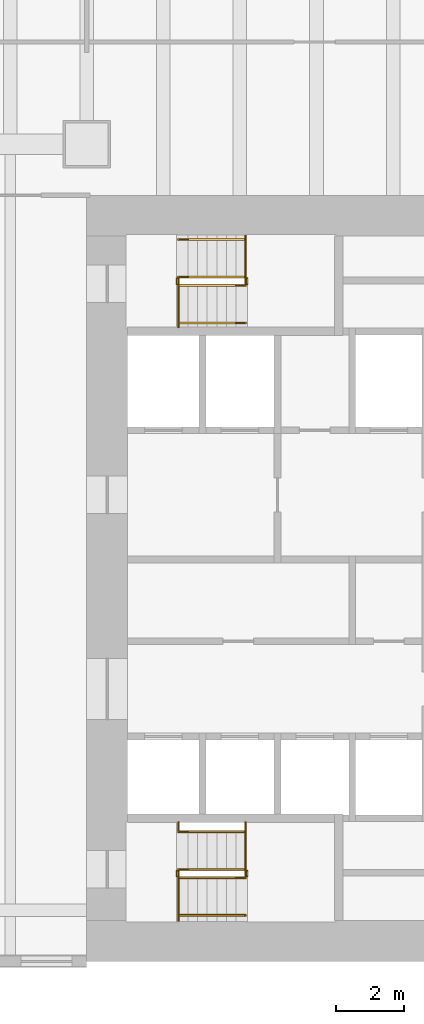
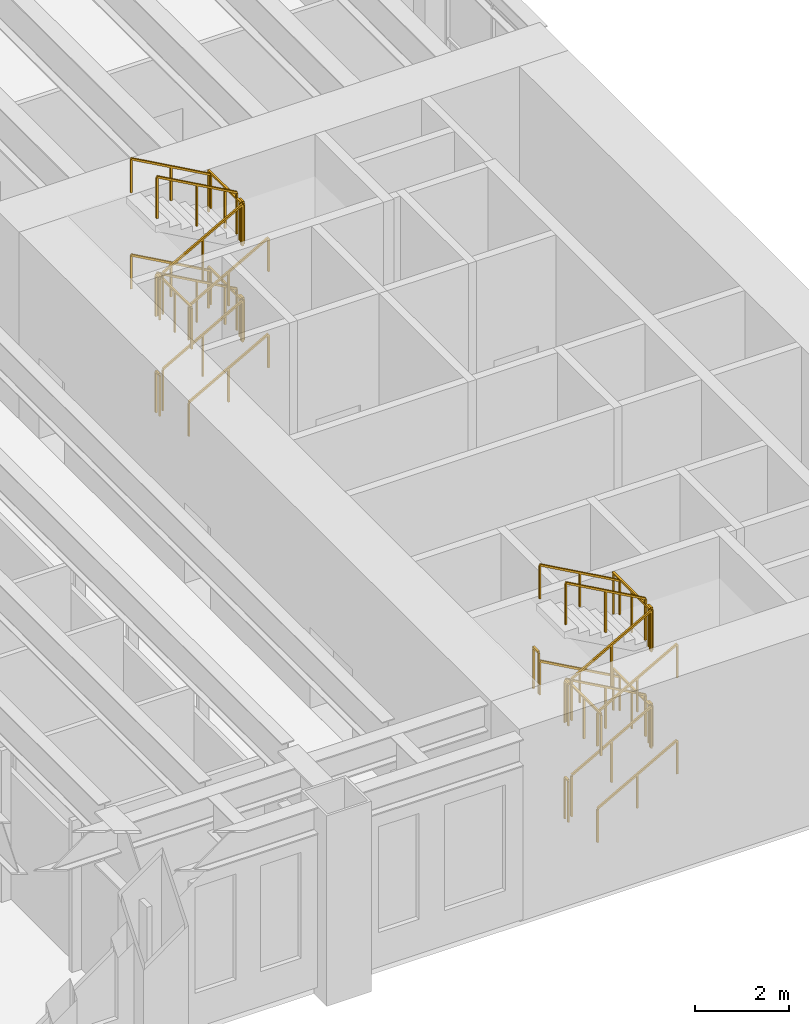
# One storey, part 20 of 21: 31 railings.
"""IFC4 building model written with IfcOpenShell, lengths in metres."""

from ifc_helpers import new_model, si_unit, direction, frame, origin, origin_2d, place, context, subcontext, project, spatial, rectangle, extrude, material, type_object, element, save


model = new_model("IFC4")

# Units and contexts
model_context = context("Model", 3, precision=1e-05, world=origin(), true_north=direction((0.0, 1.0)))
body_context = subcontext(model_context, "Body", "Model", "MODEL_VIEW")
ifc_project = project(units=[si_unit("LENGTHUNIT", "METRE"), si_unit("AREAUNIT", "SQUARE_METRE"), si_unit("VOLUMEUNIT", "CUBIC_METRE"), si_unit("PLANEANGLEUNIT", "RADIAN"), si_unit("MASSUNIT", "GRAM", prefix="KILO")], contexts=[model_context])

# Site, building, storey
site_placement = place(None, origin())
site = spatial("IfcSite", under=ifc_project, at=site_placement, CompositionType="ELEMENT")
building_placement = place(site_placement, origin())
building = spatial("IfcBuilding", under=site, at=building_placement, Name="Sennacour Bend Tower", CompositionType="ELEMENT")
storey_placement = place(building_placement, frame((0.0, 0.0, 24.0)))
storey = spatial("IfcBuildingStorey", under=building, at=storey_placement, Name="L04", CompositionType="ELEMENT", Elevation=24.0)

# Railings
ifc_material = material(Name="Stainless steel", Category="steel")
railing_type_1 = type_object("IfcRailingType", Name="RL-GUARD-1100", PredefinedType="GUARDRAIL", material=ifc_material)
railing_1_placement = place(storey_placement, frame((56.699951171875, 2.449951171875, 0.15625)))
element("IfcRailing", 1, at=railing_1_placement, inside=storey, type_object=railing_type_1, Name="L04 SA1 stair guard 1", PredefinedType="GUARDRAIL", context=body_context, shape_type="SweptSolid", body=[
    extrude(rectangle(XDim=0.048095703125, YDim=0.048095703125, at=origin_2d()), frame((0.0, 0.0, 1.076171875), z_axis=(0.873232148454, 0.0, 0.487304437602), x_axis=(0.0, 1.0, 0.0)), (0.0, 0.0, 1.0), 2.244384765625),
    extrude(rectangle(XDim=0.0419921875, YDim=0.0419921875, at=origin_2d()), origin(), (0.0, 0.0, 1.0), 1.052001953125),
    extrude(rectangle(XDim=0.0419921875, YDim=0.0419921875, at=origin_2d()), frame((0.97998046875, 0.0, 0.546875)), (0.0, 0.0, 1.0), 1.052001953125),
    extrude(rectangle(XDim=0.0419921875, YDim=0.0419921875, at=origin_2d()), frame((1.9599609375, 0.0, 1.09375)), (0.0, 0.0, 1.0), 1.052001953125),
])
railing_2_placement = place(storey_placement, frame((58.7099609375, 2.5, 1.25)))
element("IfcRailing", 2, at=railing_2_placement, inside=storey, type_object=railing_type_1, Name="L04 SA1 stair guard 2", PredefinedType="GUARDRAIL", context=body_context, shape_type="SweptSolid", body=[
    extrude(rectangle(XDim=0.048095703125, YDim=0.048095703125, at=origin_2d()), frame((0.0, 0.0, 1.076171875), z_axis=(0.0, 1.0, 0.0), x_axis=(-1.0, 0.0, 0.0)), (0.0, 0.0, 1.0), 0.14990234375),
    extrude(rectangle(XDim=0.0419921875, YDim=0.0419921875, at=origin_2d()), origin(), (0.0, 0.0, 1.0), 1.052001953125),
    extrude(rectangle(XDim=0.0419921875, YDim=0.0419921875, at=origin_2d()), frame((0.0, 0.14990234375, 0.0)), (0.0, 0.0, 1.0), 1.052001953125),
])
railing_3_placement = place(storey_placement, frame((58.659912109375, 2.699951171875, 1.40625)))
element("IfcRailing", 3, at=railing_3_placement, inside=storey, type_object=railing_type_1, Name="L04 SA1 stair guard 4", PredefinedType="GUARDRAIL", context=body_context, shape_type="SweptSolid", body=[
    extrude(rectangle(XDim=0.048095703125, YDim=0.048095703125, at=origin_2d()), frame((0.0, 0.0, 1.076171875), z_axis=(-0.873232148454, 0.0, 0.487304437602), x_axis=(0.0, -1.0, 0.0)), (0.0, 0.0, 1.0), 2.244384765625),
    extrude(rectangle(XDim=0.0419921875, YDim=0.0419921875, at=origin_2d()), origin(), (0.0, 0.0, 1.0), 1.052001953125),
    extrude(rectangle(XDim=0.0419921875, YDim=0.0419921875, at=origin_2d()), frame((-0.97998046875, 0.0, 0.546875)), (0.0, 0.0, 1.0), 1.052001953125),
    extrude(rectangle(XDim=0.0419921875, YDim=0.0419921875, at=origin_2d()), frame((-1.9599609375, 0.0, 1.09375)), (0.0, 0.0, 1.0), 1.052001953125),
])
railing_4_placement = place(storey_placement, frame((56.64990234375, 2.5, 2.5)))
element("IfcRailing", 4, at=railing_4_placement, inside=storey, type_object=railing_type_1, Name="L04 SA1 stair guard 5", PredefinedType="GUARDRAIL", context=body_context, shape_type="SweptSolid", body=[
    extrude(rectangle(XDim=0.048095703125, YDim=0.048095703125, at=origin_2d()), frame((0.0, 0.0, 1.076171875), z_axis=(0.0, 1.0, 0.0), x_axis=(-1.0, 0.0, 0.0)), (0.0, 0.0, 1.0), 0.14990234375),
    extrude(rectangle(XDim=0.0419921875, YDim=0.0419921875, at=origin_2d()), origin(), (0.0, 0.0, 1.0), 1.052001953125),
    extrude(rectangle(XDim=0.0419921875, YDim=0.0419921875, at=origin_2d()), frame((0.0, 0.14990234375, 0.0)), (0.0, 0.0, 1.0), 1.052001953125),
])
railing_5_placement = place(storey_placement, frame((56.699951171875, 2.449951171875, 2.65625)))
element("IfcRailing", 5, at=railing_5_placement, inside=storey, type_object=railing_type_1, Name="L04 SA1 stair guard 8", PredefinedType="GUARDRAIL", context=body_context, shape_type="SweptSolid", body=[
    extrude(rectangle(XDim=0.048095703125, YDim=0.048095703125, at=origin_2d()), frame((0.0, 0.0, 1.076171875), z_axis=(0.873232148454, 0.0, 0.487304437602), x_axis=(0.0, 1.0, 0.0)), (0.0, 0.0, 1.0), 2.244384765625),
    extrude(rectangle(XDim=0.0419921875, YDim=0.0419921875, at=origin_2d()), origin(), (0.0, 0.0, 1.0), 1.052001953125),
    extrude(rectangle(XDim=0.0419921875, YDim=0.0419921875, at=origin_2d()), frame((0.97998046875, 0.0, 0.546875)), (0.0, 0.0, 1.0), 1.052001953125),
    extrude(rectangle(XDim=0.0419921875, YDim=0.0419921875, at=origin_2d()), frame((1.9599609375, 0.0, 1.09375)), (0.0, 0.0, 1.0), 1.052001953125),
])
railing_6_placement = place(storey_placement, frame((58.7099609375, 2.5, 3.75)))
element("IfcRailing", 6, at=railing_6_placement, inside=storey, type_object=railing_type_1, Name="L04 SA1 stair guard 9", PredefinedType="GUARDRAIL", context=body_context, shape_type="SweptSolid", body=[
    extrude(rectangle(XDim=0.048095703125, YDim=0.048095703125, at=origin_2d()), frame((0.0, 0.0, 1.076171875), z_axis=(0.0, 1.0, 0.0), x_axis=(-1.0, 0.0, 0.0)), (0.0, 0.0, 1.0), 0.14990234375),
    extrude(rectangle(XDim=0.0419921875, YDim=0.0419921875, at=origin_2d()), origin(), (0.0, 0.0, 1.0), 1.052001953125),
    extrude(rectangle(XDim=0.0419921875, YDim=0.0419921875, at=origin_2d()), frame((0.0, 0.14990234375, 0.0)), (0.0, 0.0, 1.0), 1.052001953125),
])
railing_7_placement = place(storey_placement, frame((58.659912109375, 2.699951171875, 3.90625)))
element("IfcRailing", 7, at=railing_7_placement, inside=storey, type_object=railing_type_1, Name="L04 SA1 stair guard 11", PredefinedType="GUARDRAIL", context=body_context, shape_type="SweptSolid", body=[
    extrude(rectangle(XDim=0.048095703125, YDim=0.048095703125, at=origin_2d()), frame((0.0, 0.0, 1.076171875), z_axis=(-0.873232148454, 0.0, 0.487304437602), x_axis=(0.0, -1.0, 0.0)), (0.0, 0.0, 1.0), 2.244384765625),
    extrude(rectangle(XDim=0.0419921875, YDim=0.0419921875, at=origin_2d()), origin(), (0.0, 0.0, 1.0), 1.052001953125),
    extrude(rectangle(XDim=0.0419921875, YDim=0.0419921875, at=origin_2d()), frame((-0.97998046875, 0.0, 0.546875)), (0.0, 0.0, 1.0), 1.052001953125),
    extrude(rectangle(XDim=0.0419921875, YDim=0.0419921875, at=origin_2d()), frame((-1.9599609375, 0.0, 1.09375)), (0.0, 0.0, 1.0), 1.052001953125),
])
railing_8_placement = place(storey_placement, frame((56.64990234375, 2.5, 0.0)))
element("IfcRailing", 8, at=railing_8_placement, inside=storey, type_object=railing_type_1, Name="L04 SA1 stair guard 12", PredefinedType="GUARDRAIL", context=body_context, shape_type="SweptSolid", body=[
    extrude(rectangle(XDim=0.048095703125, YDim=0.048095703125, at=origin_2d()), frame((0.0, 0.0, 1.076171875), z_axis=(0.0, 1.0, 0.0), x_axis=(-1.0, 0.0, 0.0)), (0.0, 0.0, 1.0), 0.14990234375),
    extrude(rectangle(XDim=0.0419921875, YDim=0.0419921875, at=origin_2d()), origin(), (0.0, 0.0, 1.0), 1.052001953125),
    extrude(rectangle(XDim=0.0419921875, YDim=0.0419921875, at=origin_2d()), frame((0.0, 0.14990234375, 0.0)), (0.0, 0.0, 1.0), 1.052001953125),
])
railing_9_placement = place(storey_placement, frame((58.659912109375, 2.5, 1.25)))
element("IfcRailing", 9, at=railing_9_placement, inside=storey, type_object=railing_type_1, Name="L04 SA1 landing edge guard 16", PredefinedType="GUARDRAIL", context=body_context, shape_type="SweptSolid", body=[
    extrude(rectangle(XDim=0.048095703125, YDim=0.048095703125, at=origin_2d()), frame((0.0, 0.0, 1.076171875), z_axis=(0.0, 1.0, 0.0), x_axis=(-1.0, 0.0, 0.0)), (0.0, 0.0, 1.0), 1.574951171875),
    extrude(rectangle(XDim=0.0419921875, YDim=0.0419921875, at=origin_2d()), origin(), (0.0, 0.0, 1.0), 1.052001953125),
    extrude(rectangle(XDim=0.0419921875, YDim=0.0419921875, at=origin_2d()), frame((0.0, 0.78759765625, 0.0)), (0.0, 0.0, 1.0), 1.052001953125),
    extrude(rectangle(XDim=0.0419921875, YDim=0.0419921875, at=origin_2d()), frame((0.0, 1.574951171875, 0.0)), (0.0, 0.0, 1.0), 1.052001953125),
])
railing_10_placement = place(storey_placement, frame((56.699951171875, 4.074951171875, 2.5)))
element("IfcRailing", 10, at=railing_10_placement, inside=storey, type_object=railing_type_1, Name="L04 SA1 landing edge guard 17", PredefinedType="GUARDRAIL", context=body_context, shape_type="SweptSolid", body=[
    extrude(rectangle(XDim=0.048095703125, YDim=0.048095703125, at=origin_2d()), frame((0.0, 0.0, 1.076171875), z_axis=(0.0, -1.0, 0.0), x_axis=(1.0, 0.0, 0.0)), (0.0, 0.0, 1.0), 0.224853515625),
    extrude(rectangle(XDim=0.0419921875, YDim=0.0419921875, at=origin_2d()), origin(), (0.0, 0.0, 1.0), 1.052001953125),
    extrude(rectangle(XDim=0.0419921875, YDim=0.0419921875, at=origin_2d()), frame((0.0, -0.224853515625, 0.0)), (0.0, 0.0, 1.0), 1.052001953125),
])
railing_11_placement = place(storey_placement, frame((56.699951171875, 2.64990234375, 2.5)))
element("IfcRailing", 11, at=railing_11_placement, inside=storey, type_object=railing_type_1, Name="L04 SA1 landing edge guard 18", PredefinedType="GUARDRAIL", context=body_context, shape_type="SweptSolid", body=[
    extrude(rectangle(XDim=0.048095703125, YDim=0.048095703125, at=origin_2d()), frame((0.0, 0.0, 1.076171875), z_axis=(0.0, -1.0, 0.0), x_axis=(1.0, 0.0, 0.0)), (0.0, 0.0, 1.0), 1.449951171875),
    extrude(rectangle(XDim=0.0419921875, YDim=0.0419921875, at=origin_2d()), origin(), (0.0, 0.0, 1.0), 1.052001953125),
    extrude(rectangle(XDim=0.0419921875, YDim=0.0419921875, at=origin_2d()), frame((0.0, -0.72509765625, 0.0)), (0.0, 0.0, 1.0), 1.052001953125),
    extrude(rectangle(XDim=0.0419921875, YDim=0.0419921875, at=origin_2d()), frame((0.0, -1.449951171875, 0.0)), (0.0, 0.0, 1.0), 1.052001953125),
])
railing_12_placement = place(storey_placement, frame((58.659912109375, 2.5, 3.75)))
element("IfcRailing", 12, at=railing_12_placement, inside=storey, type_object=railing_type_1, Name="L04 SA1 landing edge guard 19", PredefinedType="GUARDRAIL", context=body_context, shape_type="SweptSolid", body=[
    extrude(rectangle(XDim=0.048095703125, YDim=0.048095703125, at=origin_2d()), frame((0.0, 0.0, 1.076171875), z_axis=(0.0, 1.0, 0.0), x_axis=(-1.0, 0.0, 0.0)), (0.0, 0.0, 1.0), 1.574951171875),
    extrude(rectangle(XDim=0.0419921875, YDim=0.0419921875, at=origin_2d()), origin(), (0.0, 0.0, 1.0), 1.052001953125),
    extrude(rectangle(XDim=0.0419921875, YDim=0.0419921875, at=origin_2d()), frame((0.0, 0.78759765625, 0.0)), (0.0, 0.0, 1.0), 1.052001953125),
    extrude(rectangle(XDim=0.0419921875, YDim=0.0419921875, at=origin_2d()), frame((0.0, 1.574951171875, 0.0)), (0.0, 0.0, 1.0), 1.052001953125),
])
railing_13_placement = place(storey_placement, frame((56.699951171875, 19.85009765625, 0.15625)))
element("IfcRailing", 13, at=railing_13_placement, inside=storey, type_object=railing_type_1, Name="L04 SA2 stair guard 1", PredefinedType="GUARDRAIL", context=body_context, shape_type="SweptSolid", body=[
    extrude(rectangle(XDim=0.048095703125, YDim=0.048095703125, at=origin_2d()), frame((0.0, 0.0, 1.076171875), z_axis=(0.873232148454, 0.0, 0.487304437602), x_axis=(0.0, 1.0, 0.0)), (0.0, 0.0, 1.0), 2.244384765625),
    extrude(rectangle(XDim=0.0419921875, YDim=0.0419921875, at=origin_2d()), origin(), (0.0, 0.0, 1.0), 1.052001953125),
    extrude(rectangle(XDim=0.0419921875, YDim=0.0419921875, at=origin_2d()), frame((0.97998046875, 0.0, 0.546875)), (0.0, 0.0, 1.0), 1.052001953125),
    extrude(rectangle(XDim=0.0419921875, YDim=0.0419921875, at=origin_2d()), frame((1.9599609375, 0.0, 1.09375)), (0.0, 0.0, 1.0), 1.052001953125),
])
railing_14_placement = place(storey_placement, frame((58.7099609375, 19.89990234375, 1.25)))
element("IfcRailing", 14, at=railing_14_placement, inside=storey, type_object=railing_type_1, Name="L04 SA2 stair guard 2", PredefinedType="GUARDRAIL", context=body_context, shape_type="SweptSolid", body=[
    extrude(rectangle(XDim=0.048095703125, YDim=0.048095703125, at=origin_2d()), frame((0.0, 0.0, 1.076171875), z_axis=(0.0, 1.0, 0.0), x_axis=(-1.0, 0.0, 0.0)), (0.0, 0.0, 1.0), 0.150146484375),
    extrude(rectangle(XDim=0.0419921875, YDim=0.0419921875, at=origin_2d()), origin(), (0.0, 0.0, 1.0), 1.052001953125),
    extrude(rectangle(XDim=0.0419921875, YDim=0.0419921875, at=origin_2d()), frame((0.0, 0.150146484375, 0.0)), (0.0, 0.0, 1.0), 1.052001953125),
])
railing_15_placement = place(storey_placement, frame((58.659912109375, 20.10009765625, 1.40625)))
element("IfcRailing", 15, at=railing_15_placement, inside=storey, type_object=railing_type_1, Name="L04 SA2 stair guard 4", PredefinedType="GUARDRAIL", context=body_context, shape_type="SweptSolid", body=[
    extrude(rectangle(XDim=0.048095703125, YDim=0.048095703125, at=origin_2d()), frame((0.0, 0.0, 1.076171875), z_axis=(-0.873232148454, 0.0, 0.487304437602), x_axis=(0.0, -1.0, 0.0)), (0.0, 0.0, 1.0), 2.244384765625),
    extrude(rectangle(XDim=0.0419921875, YDim=0.0419921875, at=origin_2d()), origin(), (0.0, 0.0, 1.0), 1.052001953125),
    extrude(rectangle(XDim=0.0419921875, YDim=0.0419921875, at=origin_2d()), frame((-0.97998046875, 0.0, 0.546875)), (0.0, 0.0, 1.0), 1.052001953125),
    extrude(rectangle(XDim=0.0419921875, YDim=0.0419921875, at=origin_2d()), frame((-1.9599609375, 0.0, 1.09375)), (0.0, 0.0, 1.0), 1.052001953125),
])
railing_16_placement = place(storey_placement, frame((56.64990234375, 19.89990234375, 2.5)))
element("IfcRailing", 16, at=railing_16_placement, inside=storey, type_object=railing_type_1, Name="L04 SA2 stair guard 5", PredefinedType="GUARDRAIL", context=body_context, shape_type="SweptSolid", body=[
    extrude(rectangle(XDim=0.048095703125, YDim=0.048095703125, at=origin_2d()), frame((0.0, 0.0, 1.076171875), z_axis=(0.0, 1.0, 0.0), x_axis=(-1.0, 0.0, 0.0)), (0.0, 0.0, 1.0), 0.150146484375),
    extrude(rectangle(XDim=0.0419921875, YDim=0.0419921875, at=origin_2d()), origin(), (0.0, 0.0, 1.0), 1.052001953125),
    extrude(rectangle(XDim=0.0419921875, YDim=0.0419921875, at=origin_2d()), frame((0.0, 0.150146484375, 0.0)), (0.0, 0.0, 1.0), 1.052001953125),
])
railing_17_placement = place(storey_placement, frame((56.699951171875, 19.85009765625, 2.65625)))
element("IfcRailing", 17, at=railing_17_placement, inside=storey, type_object=railing_type_1, Name="L04 SA2 stair guard 8", PredefinedType="GUARDRAIL", context=body_context, shape_type="SweptSolid", body=[
    extrude(rectangle(XDim=0.048095703125, YDim=0.048095703125, at=origin_2d()), frame((0.0, 0.0, 1.076171875), z_axis=(0.873232148454, 0.0, 0.487304437602), x_axis=(0.0, 1.0, 0.0)), (0.0, 0.0, 1.0), 2.244384765625),
    extrude(rectangle(XDim=0.0419921875, YDim=0.0419921875, at=origin_2d()), origin(), (0.0, 0.0, 1.0), 1.052001953125),
    extrude(rectangle(XDim=0.0419921875, YDim=0.0419921875, at=origin_2d()), frame((0.97998046875, 0.0, 0.546875)), (0.0, 0.0, 1.0), 1.052001953125),
    extrude(rectangle(XDim=0.0419921875, YDim=0.0419921875, at=origin_2d()), frame((1.9599609375, 0.0, 1.09375)), (0.0, 0.0, 1.0), 1.052001953125),
])
railing_18_placement = place(storey_placement, frame((58.7099609375, 19.89990234375, 3.75)))
element("IfcRailing", 18, at=railing_18_placement, inside=storey, type_object=railing_type_1, Name="L04 SA2 stair guard 9", PredefinedType="GUARDRAIL", context=body_context, shape_type="SweptSolid", body=[
    extrude(rectangle(XDim=0.048095703125, YDim=0.048095703125, at=origin_2d()), frame((0.0, 0.0, 1.076171875), z_axis=(0.0, 1.0, 0.0), x_axis=(-1.0, 0.0, 0.0)), (0.0, 0.0, 1.0), 0.150146484375),
    extrude(rectangle(XDim=0.0419921875, YDim=0.0419921875, at=origin_2d()), origin(), (0.0, 0.0, 1.0), 1.052001953125),
    extrude(rectangle(XDim=0.0419921875, YDim=0.0419921875, at=origin_2d()), frame((0.0, 0.150146484375, 0.0)), (0.0, 0.0, 1.0), 1.052001953125),
])
railing_19_placement = place(storey_placement, frame((58.659912109375, 20.10009765625, 3.90625)))
element("IfcRailing", 19, at=railing_19_placement, inside=storey, type_object=railing_type_1, Name="L04 SA2 stair guard 11", PredefinedType="GUARDRAIL", context=body_context, shape_type="SweptSolid", body=[
    extrude(rectangle(XDim=0.048095703125, YDim=0.048095703125, at=origin_2d()), frame((0.0, 0.0, 1.076171875), z_axis=(-0.873232148454, 0.0, 0.487304437602), x_axis=(0.0, -1.0, 0.0)), (0.0, 0.0, 1.0), 2.244384765625),
    extrude(rectangle(XDim=0.0419921875, YDim=0.0419921875, at=origin_2d()), origin(), (0.0, 0.0, 1.0), 1.052001953125),
    extrude(rectangle(XDim=0.0419921875, YDim=0.0419921875, at=origin_2d()), frame((-0.97998046875, 0.0, 0.546875)), (0.0, 0.0, 1.0), 1.052001953125),
    extrude(rectangle(XDim=0.0419921875, YDim=0.0419921875, at=origin_2d()), frame((-1.9599609375, 0.0, 1.09375)), (0.0, 0.0, 1.0), 1.052001953125),
])
railing_20_placement = place(storey_placement, frame((56.64990234375, 19.89990234375, 0.0)))
element("IfcRailing", 20, at=railing_20_placement, inside=storey, type_object=railing_type_1, Name="L04 SA2 stair guard 12", PredefinedType="GUARDRAIL", context=body_context, shape_type="SweptSolid", body=[
    extrude(rectangle(XDim=0.048095703125, YDim=0.048095703125, at=origin_2d()), frame((0.0, 0.0, 1.076171875), z_axis=(0.0, 1.0, 0.0), x_axis=(-1.0, 0.0, 0.0)), (0.0, 0.0, 1.0), 0.150146484375),
    extrude(rectangle(XDim=0.0419921875, YDim=0.0419921875, at=origin_2d()), origin(), (0.0, 0.0, 1.0), 1.052001953125),
    extrude(rectangle(XDim=0.0419921875, YDim=0.0419921875, at=origin_2d()), frame((0.0, 0.150146484375, 0.0)), (0.0, 0.0, 1.0), 1.052001953125),
])
railing_21_placement = place(storey_placement, frame((58.659912109375, 19.89990234375, 1.25)))
element("IfcRailing", 21, at=railing_21_placement, inside=storey, type_object=railing_type_1, Name="L04 SA2 landing edge guard 13", PredefinedType="GUARDRAIL", context=body_context, shape_type="SweptSolid", body=[
    extrude(rectangle(XDim=0.048095703125, YDim=0.048095703125, at=origin_2d()), frame((0.0, 0.0, 1.076171875), z_axis=(0.0, 1.0, 0.0), x_axis=(-1.0, 0.0, 0.0)), (0.0, 0.0, 1.0), 1.400146484375),
    extrude(rectangle(XDim=0.0419921875, YDim=0.0419921875, at=origin_2d()), origin(), (0.0, 0.0, 1.0), 1.052001953125),
    extrude(rectangle(XDim=0.0419921875, YDim=0.0419921875, at=origin_2d()), frame((0.0, 0.7001953125, 0.0)), (0.0, 0.0, 1.0), 1.052001953125),
    extrude(rectangle(XDim=0.0419921875, YDim=0.0419921875, at=origin_2d()), frame((0.0, 1.400146484375, 0.0)), (0.0, 0.0, 1.0), 1.052001953125),
])
railing_22_placement = place(storey_placement, frame((56.699951171875, 20.050048828125, 2.5)))
element("IfcRailing", 22, at=railing_22_placement, inside=storey, type_object=railing_type_1, Name="L04 SA2 landing edge guard 14", PredefinedType="GUARDRAIL", context=body_context, shape_type="SweptSolid", body=[
    extrude(rectangle(XDim=0.048095703125, YDim=0.048095703125, at=origin_2d()), frame((0.0, 0.0, 1.076171875), z_axis=(0.0, -1.0, 0.0), x_axis=(1.0, 0.0, 0.0)), (0.0, 0.0, 1.0), 1.425048828125),
    extrude(rectangle(XDim=0.0419921875, YDim=0.0419921875, at=origin_2d()), origin(), (0.0, 0.0, 1.0), 1.052001953125),
    extrude(rectangle(XDim=0.0419921875, YDim=0.0419921875, at=origin_2d()), frame((0.0, -0.71240234375, 0.0)), (0.0, 0.0, 1.0), 1.052001953125),
    extrude(rectangle(XDim=0.0419921875, YDim=0.0419921875, at=origin_2d()), frame((0.0, -1.425048828125, 0.0)), (0.0, 0.0, 1.0), 1.052001953125),
])
railing_23_placement = place(storey_placement, frame((58.659912109375, 19.89990234375, 3.75)))
element("IfcRailing", 23, at=railing_23_placement, inside=storey, type_object=railing_type_1, Name="L04 SA2 landing edge guard 15", PredefinedType="GUARDRAIL", context=body_context, shape_type="SweptSolid", body=[
    extrude(rectangle(XDim=0.048095703125, YDim=0.048095703125, at=origin_2d()), frame((0.0, 0.0, 1.076171875), z_axis=(0.0, 1.0, 0.0), x_axis=(-1.0, 0.0, 0.0)), (0.0, 0.0, 1.0), 1.400146484375),
    extrude(rectangle(XDim=0.0419921875, YDim=0.0419921875, at=origin_2d()), origin(), (0.0, 0.0, 1.0), 1.052001953125),
    extrude(rectangle(XDim=0.0419921875, YDim=0.0419921875, at=origin_2d()), frame((0.0, 0.7001953125, 0.0)), (0.0, 0.0, 1.0), 1.052001953125),
    extrude(rectangle(XDim=0.0419921875, YDim=0.0419921875, at=origin_2d()), frame((0.0, 1.400146484375, 0.0)), (0.0, 0.0, 1.0), 1.052001953125),
])
railing_type_2 = type_object("IfcRailingType", Name="RL-HANDRAIL-900", PredefinedType="HANDRAIL", material=ifc_material)
railing_24_placement = place(storey_placement, frame((56.699951171875, 1.35009765625, 0.15625)))
element("IfcRailing", 24, at=railing_24_placement, inside=storey, type_object=railing_type_2, Name="L04 SA1 stair handrail 1", PredefinedType="HANDRAIL", context=body_context, shape_type="SweptSolid", body=[
    extrude(rectangle(XDim=0.048095703125, YDim=0.048095703125, at=origin_2d()), frame((0.0, 0.0, 0.8759765625), z_axis=(0.873232148454, 0.0, 0.487304437602), x_axis=(0.0, 1.0, 0.0)), (0.0, 0.0, 1.0), 2.244384765625),
    extrude(rectangle(XDim=0.0419921875, YDim=0.0419921875, at=origin_2d()), origin(), (0.0, 0.0, 1.0), 0.851806640625),
    extrude(rectangle(XDim=0.0419921875, YDim=0.0419921875, at=origin_2d()), frame((0.97998046875, 0.0, 0.546875)), (0.0, 0.0, 1.0), 0.851806640625),
    extrude(rectangle(XDim=0.0419921875, YDim=0.0419921875, at=origin_2d()), frame((1.9599609375, 0.0, 1.09375)), (0.0, 0.0, 1.0), 0.851806640625),
])
railing_25_placement = place(storey_placement, frame((58.659912109375, 3.800048828125, 1.40625)))
element("IfcRailing", 25, at=railing_25_placement, inside=storey, type_object=railing_type_2, Name="L04 SA1 stair handrail 2", PredefinedType="HANDRAIL", context=body_context, shape_type="SweptSolid", body=[
    extrude(rectangle(XDim=0.048095703125, YDim=0.048095703125, at=origin_2d()), frame((0.0, 0.0, 0.8759765625), z_axis=(-0.873232148454, 0.0, 0.487304437602), x_axis=(0.0, -1.0, 0.0)), (0.0, 0.0, 1.0), 2.244384765625),
    extrude(rectangle(XDim=0.0419921875, YDim=0.0419921875, at=origin_2d()), origin(), (0.0, 0.0, 1.0), 0.851806640625),
    extrude(rectangle(XDim=0.0419921875, YDim=0.0419921875, at=origin_2d()), frame((-0.97998046875, 0.0, 0.546875)), (0.0, 0.0, 1.0), 0.851806640625),
    extrude(rectangle(XDim=0.0419921875, YDim=0.0419921875, at=origin_2d()), frame((-1.9599609375, 0.0, 1.09375)), (0.0, 0.0, 1.0), 0.851806640625),
])
railing_26_placement = place(storey_placement, frame((56.699951171875, 1.35009765625, 2.65625)))
element("IfcRailing", 26, at=railing_26_placement, inside=storey, type_object=railing_type_2, Name="L04 SA1 stair handrail 3", PredefinedType="HANDRAIL", context=body_context, shape_type="SweptSolid", body=[
    extrude(rectangle(XDim=0.048095703125, YDim=0.048095703125, at=origin_2d()), frame((0.0, 0.0, 0.8759765625), z_axis=(0.873232148454, 0.0, 0.487304437602), x_axis=(0.0, 1.0, 0.0)), (0.0, 0.0, 1.0), 2.244384765625),
    extrude(rectangle(XDim=0.0419921875, YDim=0.0419921875, at=origin_2d()), origin(), (0.0, 0.0, 1.0), 0.851806640625),
    extrude(rectangle(XDim=0.0419921875, YDim=0.0419921875, at=origin_2d()), frame((0.97998046875, 0.0, 0.546875)), (0.0, 0.0, 1.0), 0.851806640625),
    extrude(rectangle(XDim=0.0419921875, YDim=0.0419921875, at=origin_2d()), frame((1.9599609375, 0.0, 1.09375)), (0.0, 0.0, 1.0), 0.851806640625),
])
railing_27_placement = place(storey_placement, frame((58.659912109375, 3.800048828125, 3.90625)))
element("IfcRailing", 27, at=railing_27_placement, inside=storey, type_object=railing_type_2, Name="L04 SA1 stair handrail 4", PredefinedType="HANDRAIL", context=body_context, shape_type="SweptSolid", body=[
    extrude(rectangle(XDim=0.048095703125, YDim=0.048095703125, at=origin_2d()), frame((0.0, 0.0, 0.8759765625), z_axis=(-0.873232148454, 0.0, 0.487304437602), x_axis=(0.0, -1.0, 0.0)), (0.0, 0.0, 1.0), 2.244384765625),
    extrude(rectangle(XDim=0.0419921875, YDim=0.0419921875, at=origin_2d()), origin(), (0.0, 0.0, 1.0), 0.851806640625),
    extrude(rectangle(XDim=0.0419921875, YDim=0.0419921875, at=origin_2d()), frame((-0.97998046875, 0.0, 0.546875)), (0.0, 0.0, 1.0), 0.851806640625),
    extrude(rectangle(XDim=0.0419921875, YDim=0.0419921875, at=origin_2d()), frame((-1.9599609375, 0.0, 1.09375)), (0.0, 0.0, 1.0), 0.851806640625),
])
railing_28_placement = place(storey_placement, frame((56.699951171875, 18.75, 0.15625)))
element("IfcRailing", 28, at=railing_28_placement, inside=storey, type_object=railing_type_2, Name="L04 SA2 stair handrail 1", PredefinedType="HANDRAIL", context=body_context, shape_type="SweptSolid", body=[
    extrude(rectangle(XDim=0.048095703125, YDim=0.048095703125, at=origin_2d()), frame((0.0, 0.0, 0.8759765625), z_axis=(0.873232148454, 0.0, 0.487304437602), x_axis=(0.0, 1.0, 0.0)), (0.0, 0.0, 1.0), 2.244384765625),
    extrude(rectangle(XDim=0.0419921875, YDim=0.0419921875, at=origin_2d()), origin(), (0.0, 0.0, 1.0), 0.851806640625),
    extrude(rectangle(XDim=0.0419921875, YDim=0.0419921875, at=origin_2d()), frame((0.97998046875, 0.0, 0.546875)), (0.0, 0.0, 1.0), 0.851806640625),
    extrude(rectangle(XDim=0.0419921875, YDim=0.0419921875, at=origin_2d()), frame((1.9599609375, 0.0, 1.09375)), (0.0, 0.0, 1.0), 0.851806640625),
])
railing_29_placement = place(storey_placement, frame((58.659912109375, 21.199951171875, 1.40625)))
element("IfcRailing", 29, at=railing_29_placement, inside=storey, type_object=railing_type_2, Name="L04 SA2 stair handrail 2", PredefinedType="HANDRAIL", context=body_context, shape_type="SweptSolid", body=[
    extrude(rectangle(XDim=0.048095703125, YDim=0.048095703125, at=origin_2d()), frame((0.0, 0.0, 0.8759765625), z_axis=(-0.873232148454, 0.0, 0.487304437602), x_axis=(0.0, -1.0, 0.0)), (0.0, 0.0, 1.0), 2.244384765625),
    extrude(rectangle(XDim=0.0419921875, YDim=0.0419921875, at=origin_2d()), origin(), (0.0, 0.0, 1.0), 0.851806640625),
    extrude(rectangle(XDim=0.0419921875, YDim=0.0419921875, at=origin_2d()), frame((-0.97998046875, 0.0, 0.546875)), (0.0, 0.0, 1.0), 0.851806640625),
    extrude(rectangle(XDim=0.0419921875, YDim=0.0419921875, at=origin_2d()), frame((-1.9599609375, 0.0, 1.09375)), (0.0, 0.0, 1.0), 0.851806640625),
])
railing_30_placement = place(storey_placement, frame((56.699951171875, 18.75, 2.65625)))
element("IfcRailing", 30, at=railing_30_placement, inside=storey, type_object=railing_type_2, Name="L04 SA2 stair handrail 3", PredefinedType="HANDRAIL", context=body_context, shape_type="SweptSolid", body=[
    extrude(rectangle(XDim=0.048095703125, YDim=0.048095703125, at=origin_2d()), frame((0.0, 0.0, 0.8759765625), z_axis=(0.873232148454, 0.0, 0.487304437602), x_axis=(0.0, 1.0, 0.0)), (0.0, 0.0, 1.0), 2.244384765625),
    extrude(rectangle(XDim=0.0419921875, YDim=0.0419921875, at=origin_2d()), origin(), (0.0, 0.0, 1.0), 0.851806640625),
    extrude(rectangle(XDim=0.0419921875, YDim=0.0419921875, at=origin_2d()), frame((0.97998046875, 0.0, 0.546875)), (0.0, 0.0, 1.0), 0.851806640625),
    extrude(rectangle(XDim=0.0419921875, YDim=0.0419921875, at=origin_2d()), frame((1.9599609375, 0.0, 1.09375)), (0.0, 0.0, 1.0), 0.851806640625),
])
railing_31_placement = place(storey_placement, frame((58.659912109375, 21.199951171875, 3.90625)))
element("IfcRailing", 31, at=railing_31_placement, inside=storey, type_object=railing_type_2, Name="L04 SA2 stair handrail 4", PredefinedType="HANDRAIL", context=body_context, shape_type="SweptSolid", body=[
    extrude(rectangle(XDim=0.048095703125, YDim=0.048095703125, at=origin_2d()), frame((0.0, 0.0, 0.8759765625), z_axis=(-0.873232148454, 0.0, 0.487304437602), x_axis=(0.0, -1.0, 0.0)), (0.0, 0.0, 1.0), 2.244384765625),
    extrude(rectangle(XDim=0.0419921875, YDim=0.0419921875, at=origin_2d()), origin(), (0.0, 0.0, 1.0), 0.851806640625),
    extrude(rectangle(XDim=0.0419921875, YDim=0.0419921875, at=origin_2d()), frame((-0.97998046875, 0.0, 0.546875)), (0.0, 0.0, 1.0), 0.851806640625),
    extrude(rectangle(XDim=0.0419921875, YDim=0.0419921875, at=origin_2d()), frame((-1.9599609375, 0.0, 1.09375)), (0.0, 0.0, 1.0), 0.851806640625),
])

save(model, "model.ifc")
